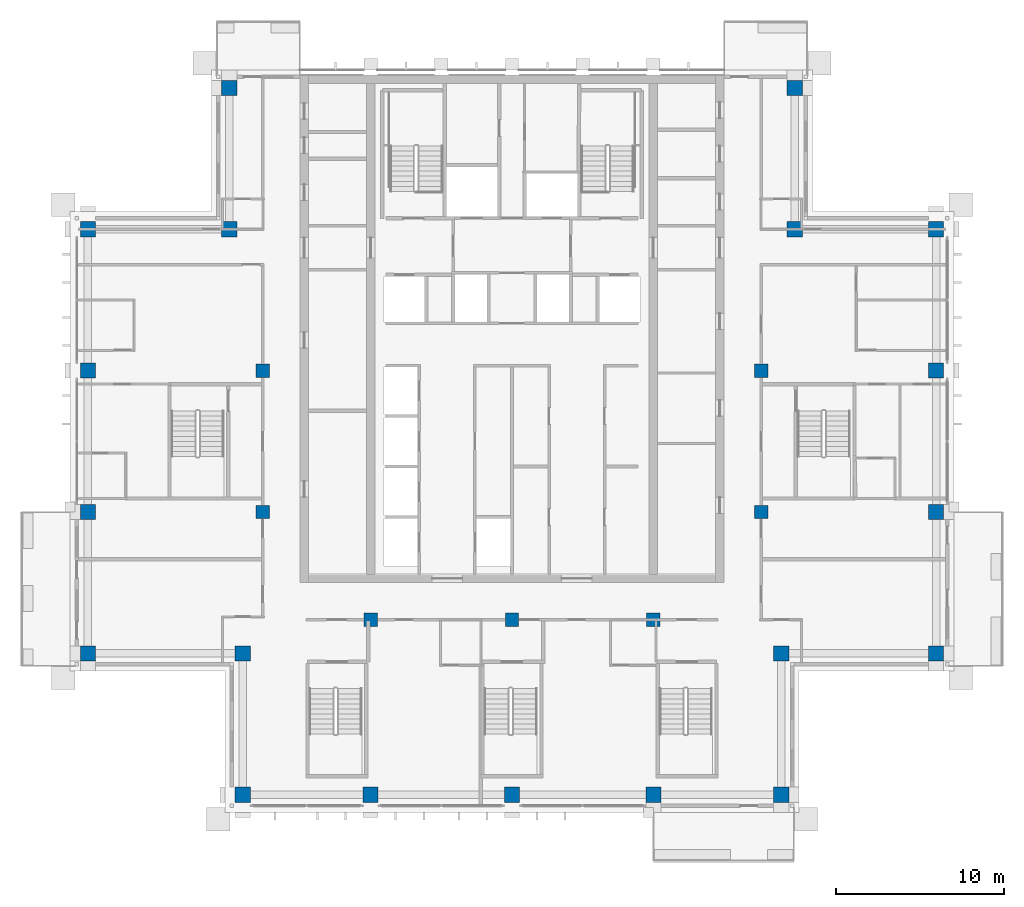
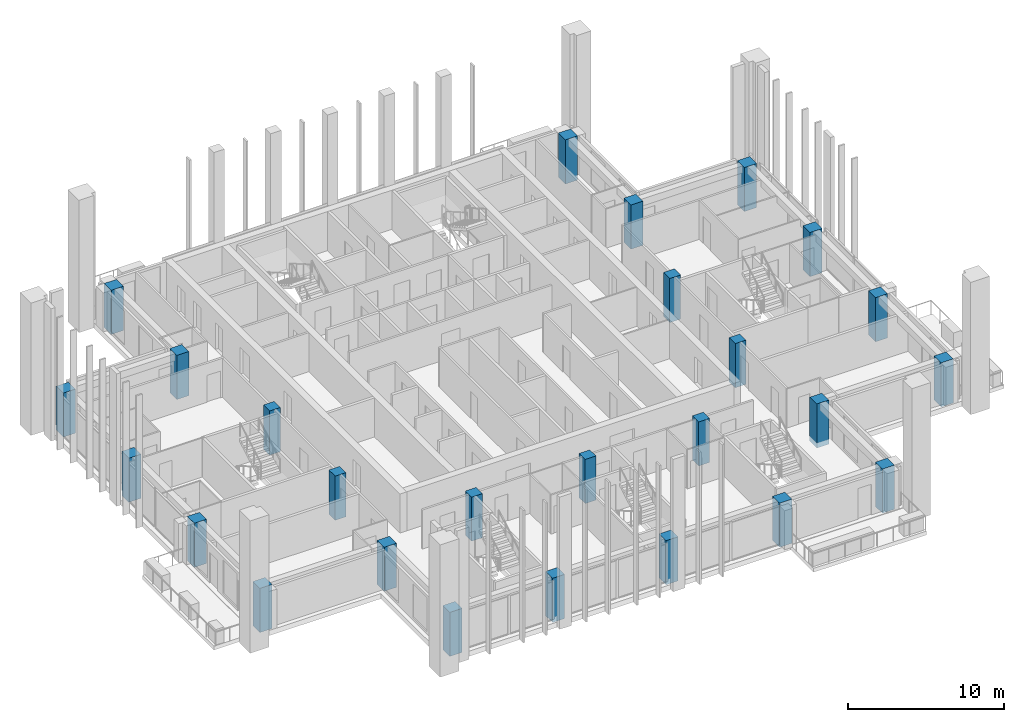
# One storey, part 1 of 20: 26 columns.
"""IFC4 building model written with IfcOpenShell, lengths in metres."""

import ifcopenshell
import ifcopenshell.guid

model = None  # the IFC model being written
_history = None  # IfcOwnerHistory: only IFC2X3 demands one
_inside = {}  # id of a spatial element -> (the spatial element, [elements in it])
_under = {}  # id of a project, library or spatial element -> (it, [spatial elements below it])
_declared = {}  # id of a project -> (the project, [libraries it declares])
_typed = {}  # id of a type object -> (the type object, [elements of that type])
_made_of = {}  # id of a material, layer set ... -> (it, [elements and type objects made of it])


def new_model(schema):
    """Start an empty IFC model of exactly this schema.

    Asked for "IFC4X3", IfcOpenShell would pick the latest addendum, in which some entities
    have other attributes; the version numbers below select the first issue.
    IFC2X3 requires an IfcOwnerHistory on every rooted entity: one is made here for all.
    """
    global model, _history
    if schema == "IFC4X3":
        model = ifcopenshell.file(schema_version=(4, 3, 0, 0))
    else:
        model = ifcopenshell.file(schema=schema)
    _inside.clear()
    _under.clear()
    _declared.clear()
    _typed.clear()
    _made_of.clear()
    _history = None
    if model.schema == "IFC2X3":
        org = make("IfcOrganization", Name="unknown")
        user = make(
            "IfcPersonAndOrganization",
            ThePerson=make("IfcPerson", FamilyName="unknown"),
            TheOrganization=org,
        )
        app = make(
            "IfcApplication",
            ApplicationDeveloper=org,
            Version="unknown",
            ApplicationFullName="unknown",
            ApplicationIdentifier="unknown",
        )
        _history = make(
            "IfcOwnerHistory",
            OwningUser=user,
            OwningApplication=app,
            ChangeAction="ADDED",
            CreationDate=0,
        )
    return model


def make(cls, **values):
    """One entity of the class cls with the attributes given. An attribute that is None is left unset."""
    return model.create_entity(
        cls, **{name: value for name, value in values.items() if value is not None}
    )


def rooted(cls, **values):
    """An entity with a GlobalId (a new one), such as an element, a storey or a relation."""
    return make(cls, GlobalId=ifcopenshell.guid.new(), OwnerHistory=_history, **values)


def si_unit(unit_type, name, prefix=None):
    """IfcSIUnit, for example si_unit("LENGTHUNIT", "METRE", prefix="MILLI")."""
    return make("IfcSIUnit", UnitType=unit_type, Prefix=prefix, Name=name)


def assignment(units):
    """IfcUnitAssignment: the units of a project."""
    return None if units is None else make("IfcUnitAssignment", Units=units)


def point(xyz):
    """IfcCartesianPoint."""
    return None if xyz is None else make("IfcCartesianPoint", Coordinates=xyz)


def direction(xyz):
    """IfcDirection."""
    return None if xyz is None else make("IfcDirection", DirectionRatios=xyz)


def frame(location, z_axis=None, x_axis=None):
    """IfcAxis2Placement3D, a coordinate frame: its origin and axes. An axis left out is left unset."""
    return make(
        "IfcAxis2Placement3D",
        Location=point(location),
        Axis=direction(z_axis),
        RefDirection=direction(x_axis),
    )


def frame_2d(location, x_axis=None):
    """IfcAxis2Placement2D, a coordinate frame in the plane: its origin and x axis."""
    return make(
        "IfcAxis2Placement2D", Location=point(location), RefDirection=direction(x_axis)
    )


def origin():
    """The frame at (0, 0, 0) with its axes left unset."""
    return frame((0.0, 0.0, 0.0))


def origin_2d():
    """The frame at (0, 0) in the plane with its x axis left unset."""
    return frame_2d((0.0, 0.0))


def place(relative_to, where):
    """IfcLocalPlacement: puts the frame where relative to a parent placement (None: the world)."""
    return make(
        "IfcLocalPlacement", PlacementRelTo=relative_to, RelativePlacement=where
    )


def context(
    kind, dimensions, precision=None, world=None, true_north=None, identifier=None
):
    """IfcGeometricRepresentationContext, for example the 3D "Model" context."""
    return make(
        "IfcGeometricRepresentationContext",
        ContextIdentifier=identifier,
        ContextType=kind,
        CoordinateSpaceDimension=dimensions,
        Precision=precision,
        WorldCoordinateSystem=world,
        TrueNorth=true_north,
    )


def subcontext(parent, identifier, kind, view, scale=None):
    """IfcGeometricRepresentationSubContext, for example "Body" below "Model"."""
    return make(
        "IfcGeometricRepresentationSubContext",
        ContextIdentifier=identifier,
        ContextType=kind,
        ParentContext=parent,
        TargetScale=scale,
        TargetView=view,
    )


def project(units=None, contexts=None):
    """IfcProject with its units and contexts."""
    return rooted(
        "IfcProject",
        Name="project",
        RepresentationContexts=contexts,
        UnitsInContext=assignment(units),
    )


def spatial(cls, under=None, at=None, **own):
    """A site, building, storey or space (cls), placed at a placement, below another one or the project."""
    s = rooted(cls, ObjectPlacement=at, **own)
    if under is not None:
        _under.setdefault(under.id(), (under, []))[1].append(s)
    return s


def profile(cls, at=None, kind="AREA", **sizes):
    """A parametric profile (cls). Its sizes go by their IFC names, for example OverallWidth=200.0."""
    return make(cls, ProfileType=kind, Position=at, **sizes)


def rectangle(**sizes):
    """IfcRectangleProfileDef."""
    return profile("IfcRectangleProfileDef", **sizes)


def extrude(swept, where, along, depth):
    """IfcExtrudedAreaSolid: the profile swept, set in the frame where, extruded along a direction by depth."""
    return make(
        "IfcExtrudedAreaSolid",
        SweptArea=swept,
        Position=where,
        ExtrudedDirection=direction(along),
        Depth=depth,
    )


def shape(context_of_items, identifier, shape_type, items):
    """IfcShapeRepresentation: the items that make up one representation, for example the "Body"."""
    return make(
        "IfcShapeRepresentation",
        ContextOfItems=context_of_items,
        RepresentationIdentifier=identifier,
        RepresentationType=shape_type,
        Items=items,
    )


def material(Name=None, Category=None):
    """IfcMaterial."""
    return make("IfcMaterial", Name=Name, Category=Category)


def material_profile(
    of_material, cross_section, Name=None, Category=None, Priority=None
):
    """IfcMaterialProfile: a cross section and its material."""
    return make(
        "IfcMaterialProfile",
        Name=Name,
        Material=of_material,
        Profile=cross_section,
        Priority=Priority,
        Category=Category,
    )


def profile_set(profiles, Name=None, composite=None):
    """IfcMaterialProfileSet."""
    return make(
        "IfcMaterialProfileSet",
        Name=Name,
        MaterialProfiles=profiles,
        CompositeProfile=composite,
    )


def made_of(thing, what):
    """Note that an element or type object is made of a material, layer set ...; save() writes the relation."""
    if what is not None:
        _made_of.setdefault(what.id(), (what, []))[1].append(thing)
    return thing


def type_object(cls, material=None, **own):
    """A type object (cls), such as IfcWallType, which elements share."""
    return made_of(rooted(cls, **own), material)


def element(
    cls,
    number,
    at=None,
    inside=None,
    cuts=None,
    type_object=None,
    material=None,
    context=None,
    identifier="Body",
    shape_type=None,
    held_by="IfcProductDefinitionShape",
    body=None,
    shapes=None,
    **own,
):
    """One element of the class cls, such as IfcWall. Its Tag is "e" and its number.

    at: its placement. inside: the storey or other place that contains it. cuts: it is an
    opening in that element (IfcRelVoidsElement). A single representation is given by context,
    identifier, shape_type and body (its items); several are given by shapes. held_by: the class
    of the entity that holds the representations. save() writes the other relations.
    """
    e = rooted(cls, Tag="e%d" % number, ObjectPlacement=at, **own)
    if body is not None:
        shapes = [shape(context, identifier, shape_type, body)]
    if shapes is not None:
        e.Representation = make(held_by, Representations=shapes)
    if inside is not None:
        _inside.setdefault(inside.id(), (inside, []))[1].append(e)
    if cuts is not None:
        rooted(
            "IfcRelVoidsElement", RelatingBuildingElement=cuts, RelatedOpeningElement=e
        )
    if type_object is not None:
        _typed.setdefault(type_object.id(), (type_object, []))[1].append(e)
    return made_of(e, material)


def aggregate(whole, parts):
    """IfcRelAggregates: a whole, such as a stair, and the parts it consists of."""
    return rooted("IfcRelAggregates", RelatingObject=whole, RelatedObjects=parts)


def save(model, path):
    """Write the relations noted so far, then the file.

    IfcRelAggregates (storeys below a building ...), IfcRelContainedInSpatialStructure (elements
    in a storey), IfcRelDefinesByType, IfcRelAssociatesMaterial and IfcRelDeclares: one each for
    every whole, place, type object, material and project.
    """
    for whole, parts in _under.values():
        aggregate(whole, parts)
    for where, things in _inside.values():
        rooted(
            "IfcRelContainedInSpatialStructure",
            RelatedElements=things,
            RelatingStructure=where,
        )
    for kind, things in _typed.values():
        rooted("IfcRelDefinesByType", RelatedObjects=things, RelatingType=kind)
    for what, things in _made_of.values():
        rooted("IfcRelAssociatesMaterial", RelatedObjects=things, RelatingMaterial=what)
    for by, libraries in _declared.values():
        rooted("IfcRelDeclares", RelatingContext=by, RelatedDefinitions=libraries)
    model.write(path)


model = new_model("IFC4")

# Units and contexts
model_context = context("Model", 3, precision=1e-05, world=origin(), true_north=direction((0.0, 1.0)))
body_context = subcontext(model_context, "Body", "Model", "MODEL_VIEW")
ifc_project = project(units=[si_unit("LENGTHUNIT", "METRE"), si_unit("AREAUNIT", "SQUARE_METRE"), si_unit("VOLUMEUNIT", "CUBIC_METRE"), si_unit("PLANEANGLEUNIT", "RADIAN"), si_unit("MASSUNIT", "GRAM", prefix="KILO")], contexts=[model_context])

# Site, building, storey
site_placement = place(None, origin())
site = spatial("IfcSite", under=ifc_project, at=site_placement, CompositionType="ELEMENT")
building_placement = place(site_placement, origin())
building = spatial("IfcBuilding", under=site, at=building_placement, Name="Vermilion Ogive Tower", CompositionType="ELEMENT")
storey_placement = place(building_placement, frame((0.0, 0.0, 223.449951171875)))
storey = spatial("IfcBuildingStorey", under=building, at=storey_placement, Name="L58", CompositionType="ELEMENT", Elevation=223.449951171875)

# Columns
ifc_material_1 = material(Name="Concrete B60", Category="concrete")
ifc_material_profile_1 = material_profile(ifc_material_1, rectangle(XDim=0.89990234375, YDim=0.89990234375, at=origin_2d()), Name="900 x 900")
ifc_profile_set_1 = profile_set([ifc_material_profile_1], Name="Concrete B60")
column_type_1 = type_object("IfcColumnType", Name="Perimeter column 900 x 900 B60", PredefinedType="COLUMN", material=ifc_profile_set_1)
for number, where, z_axis, x_axis, name in (
    (1, (-16.0, -21.0, -0.39990234375), (0.0, 0.0, 1.0), (1.0, 0.0, 0.0), "COL-L58-P-0160-210"),
    (2, (-8.39990234375, -21.0, -0.39990234375), (0.0, 0.0, 1.0), (1.0, 0.0, 0.0), "COL-L58-P-0084-210"),
    (3, (0.0, -21.0, -0.39990234375), (0.0, 0.0, 1.0), (1.0, 0.0, 0.0), "COL-L58-P+0000-210"),
    (4, (8.39990234375, -21.0, -0.39990234375), (0.0, 0.0, 1.0), (1.0, 0.0, 0.0), "COL-L58-P+0084-210"),
    (5, (16.0, -21.0, -0.39990234375), (0.0, 0.0, 1.0), (1.0, 0.0, 0.0), "COL-L58-P+0160-210"),
    (6, (-25.199951171875, -12.60009765625, -0.39990234375), (0.0, 0.0, 1.0), (1.0, 0.0, 0.0), "COL-L58-P-0252-126"),
    (7, (-16.0, -12.60009765625, -0.39990234375), (0.0, 0.0, 1.0), (1.0, 0.0, 0.0), "COL-L58-P-0160-126"),
    (8, (16.0, -12.60009765625, -0.39990234375), (0.0, 0.0, 1.0), (1.0, 0.0, 0.0), "COL-L58-P+0160-126"),
    (9, (25.199951171875, -12.60009765625, -0.39990234375), (0.0, 0.0, 1.0), (1.0, 0.0, 0.0), "COL-L58-P+0252-126"),
    (10, (-25.199951171875, -4.199951171875, -0.39990234375), (0.0, 0.0, 1.0), (1.0, 0.0, 0.0), "COL-L58-P-0252-042"),
    (11, (25.199951171875, -4.199951171875, -0.39990234375), (0.0, 0.0, 1.0), (1.0, 0.0, 0.0), "COL-L58-P+0252-042"),
    (12, (-25.199951171875, 4.199951171875, -0.39990234375), (0.0, 0.0, 1.0), (1.0, 0.0, 0.0), "COL-L58-P-0252+042"),
    (13, (25.199951171875, 4.199951171875, -0.39990234375), (0.0, 0.0, 1.0), (1.0, 0.0, 0.0), "COL-L58-P+0252+042"),
    (14, (-25.199951171875, 12.60009765625, -0.39990234375), (0.0, 0.0, 1.0), (1.0, 0.0, 0.0), "COL-L58-P-0252+126"),
    (15, (-16.800048828125, 12.60009765625, -0.39990234375), (0.0, 0.0, 1.0), (1.0, 0.0, 0.0), "COL-L58-P-0168+126"),
    (16, (16.800048828125, 12.60009765625, -0.39990234375), (0.0, 0.0, 1.0), (1.0, 0.0, 0.0), "COL-L58-P+0168+126"),
    (17, (25.199951171875, 12.60009765625, -0.39990234375), (0.0, 0.0, 1.0), (1.0, 0.0, 0.0), "COL-L58-P+0252+126"),
    (18, (-16.800048828125, 21.0, -0.39990234375), (0.0, 0.0, 1.0), (1.0, 0.0, 0.0), "COL-L58-P-0168+210"),
    (19, (16.800048828125, 21.0, -0.39990234375), (0.0, 0.0, 1.0), (1.0, 0.0, 0.0), "COL-L58-P+0168+210"),
):
    element("IfcColumn", number, at=place(storey_placement, frame(where, z_axis=z_axis, x_axis=x_axis)), inside=storey, type_object=column_type_1, Name=name, PredefinedType="COLUMN", context=body_context, shape_type="SweptSolid", body=[
        extrude(rectangle(XDim=0.89990234375, YDim=0.89990234375, at=origin_2d()), origin(), (0.0, 0.0, 1.0), 3.449951171875),
    ])
ifc_material_2 = material(Name="Concrete B60", Category="concrete")
ifc_material_profile_2 = material_profile(ifc_material_2, rectangle(XDim=0.800048828125, YDim=0.800048828125, at=origin_2d()), Name="800 x 800")
ifc_profile_set_2 = profile_set([ifc_material_profile_2], Name="Concrete B60")
column_type_2 = type_object("IfcColumnType", Name="Ring column 800 x 800 B60", PredefinedType="COLUMN", material=ifc_profile_set_2)
for number, where, z_axis, x_axis, name in (
    (20, (-8.39990234375, -10.60009765625, -0.39990234375), (0.0, 0.0, 1.0), (1.0, 0.0, 0.0), "COL-L58-R-0084-106"),
    (21, (0.0, -10.60009765625, -0.39990234375), (0.0, 0.0, 1.0), (1.0, 0.0, 0.0), "COL-L58-R+0000-106"),
    (22, (8.39990234375, -10.60009765625, -0.39990234375), (0.0, 0.0, 1.0), (1.0, 0.0, 0.0), "COL-L58-R+0084-106"),
    (23, (-14.800048828125, -4.199951171875, -0.39990234375), (0.0, 0.0, 1.0), (1.0, 0.0, 0.0), "COL-L58-R-0148-042"),
    (24, (14.800048828125, -4.199951171875, -0.39990234375), (0.0, 0.0, 1.0), (1.0, 0.0, 0.0), "COL-L58-R+0148-042"),
    (25, (-14.800048828125, 4.199951171875, -0.39990234375), (0.0, 0.0, 1.0), (1.0, 0.0, 0.0), "COL-L58-R-0148+042"),
    (26, (14.800048828125, 4.199951171875, -0.39990234375), (0.0, 0.0, 1.0), (1.0, 0.0, 0.0), "COL-L58-R+0148+042"),
):
    element("IfcColumn", number, at=place(storey_placement, frame(where, z_axis=z_axis, x_axis=x_axis)), inside=storey, type_object=column_type_2, Name=name, PredefinedType="COLUMN", context=body_context, shape_type="SweptSolid", body=[
        extrude(rectangle(XDim=0.800048828125, YDim=0.800048828125, at=origin_2d()), origin(), (0.0, 0.0, 1.0), 3.449951171875),
    ])

save(model, "model.ifc")
